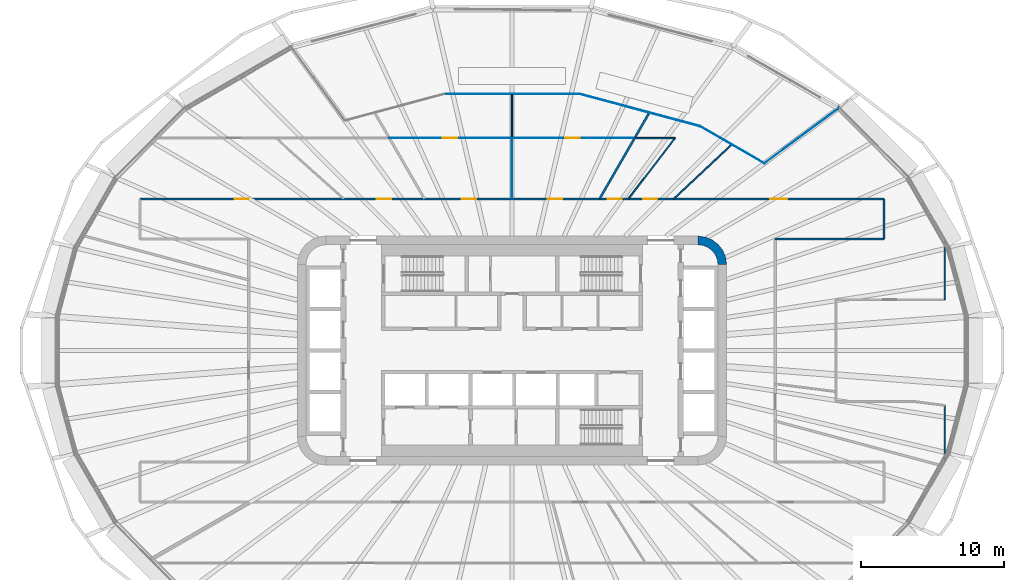
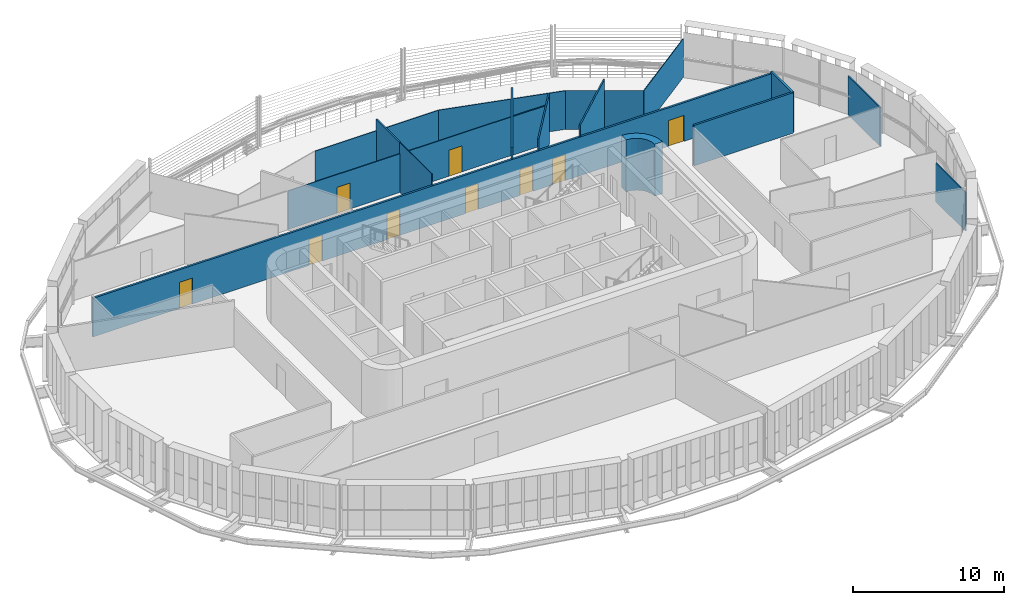
# One storey, part 16 of 24: 17 walls, 9 doors, 9 openings.
"""IFC4 building model written with IfcOpenShell, lengths in metres."""

from ifc_helpers import new_model, si_unit, direction, frame, frame_2d, origin, place, context, subcontext, project, spatial, polyline, rectangle, outline, extrude, material, layer, layer_set, type_object, element, fill, save


model = new_model("IFC4")

# Units and contexts
model_context = context("Model", 3, precision=1e-05, world=origin(), true_north=direction((0.0, 1.0)))
body_context = subcontext(model_context, "Body", "Model", "MODEL_VIEW")
ifc_project = project(units=[si_unit("LENGTHUNIT", "METRE"), si_unit("AREAUNIT", "SQUARE_METRE"), si_unit("VOLUMEUNIT", "CUBIC_METRE"), si_unit("PLANEANGLEUNIT", "RADIAN"), si_unit("MASSUNIT", "GRAM", prefix="KILO")], contexts=[model_context])

# Site, building, storey
site_placement = place(None, origin())
site = spatial("IfcSite", under=ifc_project, at=site_placement, CompositionType="ELEMENT")
building_placement = place(site_placement, origin())
building = spatial("IfcBuilding", under=site, at=building_placement, Name="Sahrelin Media Tower", CompositionType="ELEMENT")
storey_placement = place(building_placement, frame((0.0, 0.0, 118.800048828125)))
storey = spatial("IfcBuildingStorey", under=building, at=storey_placement, Name="L23", CompositionType="ELEMENT", Elevation=118.800048828125)

# Walls
ifc_material_1 = material(Name="Concrete C60/75", Category="concrete")
ifc_layer_1 = layer(ifc_material_1, 0.60009765625)
ifc_layer_set_1 = layer_set([ifc_layer_1], Name="Core wall 600")
wall_type_1 = type_object("IfcWallType", Name="Core wall 600", PredefinedType="SHEAR", material=ifc_layer_set_1)
wall_1_placement = place(storey_placement, origin())
element("IfcWall", 1, at=wall_1_placement, inside=storey, type_object=wall_type_1, Name="Core wall corner NE L23", PredefinedType="SHEAR", context=body_context, shape_type="SweptSolid", body=[
    extrude(outline(polyline([(13.0, 8.0), (13.0, 7.394775390625), (13.361083984375, 7.347412109375), (13.697509765625, 7.2080078125), (13.986328125, 6.986328125), (14.2080078125, 6.697509765625), (14.347412109375, 6.361083984375), (14.394775390625, 6.0), (15.0, 6.0), (14.931884765625, 6.517578125), (14.732177734375, 7.0), (14.414306640625, 7.414306640625), (14.0, 7.732177734375), (13.517578125, 7.931884765625), (13.0, 8.0)])), origin(), (0.0, 0.0, 1.0), 4.199951171875),
])
ifc_material_2 = material(Name="Fire-rated gypsum board partition")
ifc_layer_2 = layer(ifc_material_2, 0.14990234375)
ifc_layer_set_2 = layer_set([ifc_layer_2], Name="Fire-rated partition 150")
wall_type_2 = type_object("IfcWallType", Name="Fire-rated partition 150", PredefinedType="PARTITIONING", material=ifc_layer_set_2)
wall_2_placement = place(storey_placement, frame((18.39990234375, 7.800048828125, 0.0), z_axis=(0.0, 0.0, 1.0), x_axis=(1.0, 0.0, 0.0)))
element("IfcWall", 2, at=wall_2_placement, inside=storey, type_object=wall_type_2, Name="Wall", PredefinedType="PARTITIONING", context=body_context, shape_type="SweptSolid", body=[
    extrude(rectangle(XDim=7.60009765625, YDim=0.14990234375, at=frame_2d((3.800048828125, 0.0))), origin(), (0.0, 0.0, 1.0), 3.27587890625),
])

# Wall, openings, doors
wall_3_placement = place(storey_placement, frame((-26.0, 10.60009765625, 0.0), z_axis=(0.0, 0.0, 1.0), x_axis=(1.0, 0.0, 0.0)))
wall_3 = element("IfcWall", 3, at=wall_3_placement, inside=storey, type_object=wall_type_2, Name="Wall", PredefinedType="PARTITIONING", context=body_context, shape_type="SweptSolid", body=[
    extrude(rectangle(XDim=52.0, YDim=0.14990234375, at=frame_2d((26.0, 0.0))), origin(), (0.0, 0.0, 1.0), 3.126953125),
])
opening_1_placement = place(wall_3_placement, frame((44.051513671875, 0.0, 0.0)))
opening_1 = element("IfcOpeningElement", 4, at=opening_1_placement, cuts=wall_3, Name="Opening L23-D30", PredefinedType="OPENING", context=body_context, shape_type="SweptSolid", body=[
    extrude(rectangle(XDim=1.199951171875, YDim=2.10009765625, at=frame_2d((0.60009765625, 1.050048828125))), frame((0.0, 0.074951171875, 0.0), z_axis=(0.0, -1.0, 0.0), x_axis=(1.0, 0.0, 0.0)), (0.0, 0.0, 1.0), 0.14990234375),
])
opening_2_placement = place(wall_3_placement, frame((35.166259765625, 0.0, 0.0)))
opening_2 = element("IfcOpeningElement", 5, at=opening_2_placement, cuts=wall_3, Name="Opening L23-D31", PredefinedType="OPENING", context=body_context, shape_type="SweptSolid", body=[
    extrude(rectangle(XDim=1.0, YDim=2.10009765625, at=frame_2d((0.5, 1.050048828125))), frame((0.0, 0.074951171875, 0.0), z_axis=(0.0, -1.0, 0.0), x_axis=(1.0, 0.0, 0.0)), (0.0, 0.0, 1.0), 0.14990234375),
])
opening_3_placement = place(wall_3_placement, frame((32.68017578125, 0.0, 0.0)))
opening_3 = element("IfcOpeningElement", 6, at=opening_3_placement, cuts=wall_3, Name="Opening L23-D32", PredefinedType="OPENING", context=body_context, shape_type="SweptSolid", body=[
    extrude(rectangle(XDim=1.0, YDim=2.10009765625, at=frame_2d((0.5, 1.050048828125))), frame((0.0, 0.074951171875, 0.0), z_axis=(0.0, -1.0, 0.0), x_axis=(1.0, 0.0, 0.0)), (0.0, 0.0, 1.0), 0.14990234375),
])
opening_4_placement = place(wall_3_placement, frame((28.509765625, 0.0, 0.0)))
opening_4 = element("IfcOpeningElement", 7, at=opening_4_placement, cuts=wall_3, Name="Opening L23-D34", PredefinedType="OPENING", context=body_context, shape_type="SweptSolid", body=[
    extrude(rectangle(XDim=1.0, YDim=2.10009765625, at=frame_2d((0.5, 1.050048828125))), frame((0.0, 0.074951171875, 0.0), z_axis=(0.0, -1.0, 0.0), x_axis=(1.0, 0.0, 0.0)), (0.0, 0.0, 1.0), 0.14990234375),
])
opening_5_placement = place(wall_3_placement, frame((22.490234375, 0.0, 0.0)))
opening_5 = element("IfcOpeningElement", 8, at=opening_5_placement, cuts=wall_3, Name="Opening L23-D35", PredefinedType="OPENING", context=body_context, shape_type="SweptSolid", body=[
    extrude(rectangle(XDim=1.0, YDim=2.10009765625, at=frame_2d((0.5, 1.050048828125))), frame((0.0, 0.074951171875, 0.0), z_axis=(0.0, -1.0, 0.0), x_axis=(1.0, 0.0, 0.0)), (0.0, 0.0, 1.0), 0.14990234375),
])
opening_6_placement = place(wall_3_placement, frame((16.553955078125, 0.0, 0.0)))
opening_6 = element("IfcOpeningElement", 9, at=opening_6_placement, cuts=wall_3, Name="Opening L23-D38", PredefinedType="OPENING", context=body_context, shape_type="SweptSolid", body=[
    extrude(rectangle(XDim=1.0, YDim=2.10009765625, at=frame_2d((0.5, 1.050048828125))), frame((0.0, 0.074951171875, 0.0), z_axis=(0.0, -1.0, 0.0), x_axis=(1.0, 0.0, 0.0)), (0.0, 0.0, 1.0), 0.14990234375),
])
opening_7_placement = place(wall_3_placement, frame((6.614013671875, 0.0, 0.0)))
opening_7 = element("IfcOpeningElement", 10, at=opening_7_placement, cuts=wall_3, Name="Opening L23-D39", PredefinedType="OPENING", context=body_context, shape_type="SweptSolid", body=[
    extrude(rectangle(XDim=1.0, YDim=2.10009765625, at=frame_2d((0.5, 1.050048828125))), frame((0.0, 0.074951171875, 0.0), z_axis=(0.0, -1.0, 0.0), x_axis=(1.0, 0.0, 0.0)), (0.0, 0.0, 1.0), 0.14990234375),
])
ifc_material_3 = material(Name="Steel fire door leaf", Category="steel")
door_type_1 = type_object("IfcDoorType", Name="Fire door 1000 x 2100 EI 60", OperationType="NOTDEFINED", PredefinedType="DOOR", material=ifc_material_3)
door_1_placement = place(opening_2_placement, origin())
door_1 = element("IfcDoor", 11, at=door_1_placement, inside=storey, type_object=door_type_1, Name="Fire door", OperationType="SINGLE_SWING_RIGHT", OverallHeight=2.10009765625, OverallWidth=1.0, PredefinedType="DOOR", context=body_context, shape_type="SweptSolid", body=[
    extrude(rectangle(XDim=1.0, YDim=2.10009765625, at=frame_2d((0.5, 1.050048828125))), frame((0.0, 0.02490234375, 0.0), z_axis=(0.0, -1.0, 0.0), x_axis=(1.0, 0.0, 0.0)), (0.0, 0.0, 1.0), 0.050048828125),
])
fill(opening_2, door_1)
door_2_placement = place(opening_3_placement, origin())
door_2 = element("IfcDoor", 12, at=door_2_placement, inside=storey, type_object=door_type_1, Name="Fire door", OperationType="SINGLE_SWING_LEFT", OverallHeight=2.10009765625, OverallWidth=1.0, PredefinedType="DOOR", context=body_context, shape_type="SweptSolid", body=[
    extrude(rectangle(XDim=1.0, YDim=2.10009765625, at=frame_2d((0.5, 1.050048828125))), frame((0.0, 0.02490234375, 0.0), z_axis=(0.0, -1.0, 0.0), x_axis=(1.0, 0.0, 0.0)), (0.0, 0.0, 1.0), 0.050048828125),
])
fill(opening_3, door_2)
door_3_placement = place(opening_4_placement, origin())
door_3 = element("IfcDoor", 13, at=door_3_placement, inside=storey, type_object=door_type_1, Name="Fire door", OperationType="SINGLE_SWING_LEFT", OverallHeight=2.10009765625, OverallWidth=1.0, PredefinedType="DOOR", context=body_context, shape_type="SweptSolid", body=[
    extrude(rectangle(XDim=1.0, YDim=2.10009765625, at=frame_2d((0.5, 1.050048828125))), frame((0.0, 0.02490234375, 0.0), z_axis=(0.0, -1.0, 0.0), x_axis=(1.0, 0.0, 0.0)), (0.0, 0.0, 1.0), 0.050048828125),
])
fill(opening_4, door_3)
door_4_placement = place(opening_5_placement, origin())
door_4 = element("IfcDoor", 14, at=door_4_placement, inside=storey, type_object=door_type_1, Name="Fire door", OperationType="SINGLE_SWING_RIGHT", OverallHeight=2.10009765625, OverallWidth=1.0, PredefinedType="DOOR", context=body_context, shape_type="SweptSolid", body=[
    extrude(rectangle(XDim=1.0, YDim=2.10009765625, at=frame_2d((0.5, 1.050048828125))), frame((0.0, 0.02490234375, 0.0), z_axis=(0.0, -1.0, 0.0), x_axis=(1.0, 0.0, 0.0)), (0.0, 0.0, 1.0), 0.050048828125),
])
fill(opening_5, door_4)
door_5_placement = place(opening_6_placement, origin())
door_5 = element("IfcDoor", 15, at=door_5_placement, inside=storey, type_object=door_type_1, Name="Fire door", OperationType="SINGLE_SWING_RIGHT", OverallHeight=2.10009765625, OverallWidth=1.0, PredefinedType="DOOR", context=body_context, shape_type="SweptSolid", body=[
    extrude(rectangle(XDim=1.0, YDim=2.10009765625, at=frame_2d((0.5, 1.050048828125))), frame((0.0, 0.02490234375, 0.0), z_axis=(0.0, -1.0, 0.0), x_axis=(1.0, 0.0, 0.0)), (0.0, 0.0, 1.0), 0.050048828125),
])
fill(opening_6, door_5)
door_6_placement = place(opening_7_placement, origin())
door_6 = element("IfcDoor", 16, at=door_6_placement, inside=storey, type_object=door_type_1, Name="Fire door", OperationType="SINGLE_SWING_RIGHT", OverallHeight=2.10009765625, OverallWidth=1.0, PredefinedType="DOOR", context=body_context, shape_type="SweptSolid", body=[
    extrude(rectangle(XDim=1.0, YDim=2.10009765625, at=frame_2d((0.5, 1.050048828125))), frame((0.0, 0.02490234375, 0.0), z_axis=(0.0, -1.0, 0.0), x_axis=(1.0, 0.0, 0.0)), (0.0, 0.0, 1.0), 0.050048828125),
])
fill(opening_7, door_6)
door_type_2 = type_object("IfcDoorType", Name="Service double door 1200 x 2100 EI 60", OperationType="DOUBLE_DOOR_SINGLE_SWING", PredefinedType="DOOR", material=ifc_material_3)
door_7_placement = place(opening_1_placement, origin())
door_7 = element("IfcDoor", 17, at=door_7_placement, inside=storey, type_object=door_type_2, Name="Service double door", OperationType="DOUBLE_DOOR_SINGLE_SWING", OverallHeight=2.10009765625, OverallWidth=1.199951171875, PredefinedType="DOOR", context=body_context, shape_type="SweptSolid", body=[
    extrude(rectangle(XDim=1.199951171875, YDim=2.10009765625, at=frame_2d((0.60009765625, 1.050048828125))), frame((0.0, 0.02490234375, 0.0), z_axis=(0.0, -1.0, 0.0), x_axis=(1.0, 0.0, 0.0)), (0.0, 0.0, 1.0), 0.050048828125),
])
fill(opening_1, door_7)

# Walls
wall_4_placement = place(storey_placement, frame((6.1201171875, 10.60009765625, 0.0), z_axis=(0.0, 0.0, 1.0), x_axis=(0.499992825081, 0.866029546186, 0.0)))
element("IfcWall", 18, at=wall_4_placement, inside=storey, type_object=wall_type_2, Name="Wall", PredefinedType="PARTITIONING", context=body_context, shape_type="SweptSolid", body=[
    extrude(rectangle(XDim=6.95654296875, YDim=0.14990234375, at=frame_2d((3.478271484375, 0.0))), origin(), (0.0, 0.0, 1.0), 4.050048828125),
])
wall_5_placement = place(storey_placement, frame((26.0, 7.800048828125, 0.0), z_axis=(0.0, 0.0, 1.0), x_axis=(0.0, 1.0, 0.0)))
element("IfcWall", 19, at=wall_5_placement, inside=storey, type_object=wall_type_2, Name="Wall", PredefinedType="PARTITIONING", context=body_context, shape_type="SweptSolid", body=[
    extrude(rectangle(XDim=2.800048828125, YDim=0.14990234375, at=frame_2d((1.39990234375, 0.0))), origin(), (0.0, 0.0, 1.0), 3.27587890625),
])
ifc_material_4 = material(Name="Clear glass", Category="glass")
ifc_layer_3 = layer(ifc_material_4, 0.050048828125)
ifc_layer_set_3 = layer_set([ifc_layer_3], Name="Glazed partition 50")
wall_type_3 = type_object("IfcWallType", Name="Glazed partition 50", PredefinedType="PARTITIONING", material=ifc_layer_set_3)
wall_6_placement = place(storey_placement, frame((13.137939453125, 15.676025390625, 0.0), z_axis=(0.0, 0.0, 1.0), x_axis=(0.866061884255, -0.499936808647, 0.0)))
element("IfcWall", 20, at=wall_6_placement, inside=storey, type_object=wall_type_3, Name="Wall", PredefinedType="PARTITIONING", context=body_context, shape_type="SweptSolid", body=[
    extrude(rectangle(XDim=5.192626953125, YDim=0.050048828125, at=frame_2d((2.59619140625, 0.0))), origin(), (0.0, 0.0, 1.0), 3.126953125),
])
wall_7_placement = place(storey_placement, frame((4.72998046875, 17.928955078125, 0.0), z_axis=(0.0, 0.0, 1.0), x_axis=(0.96591812857, -0.258847771671, 0.0)))
element("IfcWall", 21, at=wall_7_placement, inside=storey, type_object=wall_type_3, Name="Wall", PredefinedType="PARTITIONING", context=body_context, shape_type="SweptSolid", body=[
    extrude(rectangle(XDim=8.70458984375, YDim=0.050048828125, at=frame_2d((4.352294921875, 0.0))), origin(), (0.0, 0.0, 1.0), 3.126953125),
])

# Wall, openings, doors
wall_8_placement = place(storey_placement, frame((-8.572998046875, 14.85009765625, 0.0), z_axis=(0.0, 0.0, 1.0), x_axis=(1.0, 0.0, 0.0)))
wall_8 = element("IfcWall", 22, at=wall_8_placement, inside=storey, type_object=wall_type_3, Name="Wall", PredefinedType="PARTITIONING", context=body_context, shape_type="SweptSolid", body=[
    extrude(rectangle(XDim=17.14599609375, YDim=0.050048828125, at=frame_2d((8.572998046875, 0.0))), origin(), (0.0, 0.0, 1.0), 3.126953125),
])
opening_8_placement = place(wall_8_placement, frame((12.308837890625, 0.0, 0.0)))
opening_8 = element("IfcOpeningElement", 23, at=opening_8_placement, cuts=wall_8, Name="Opening L23-D36", PredefinedType="OPENING", context=body_context, shape_type="SweptSolid", body=[
    extrude(rectangle(XDim=1.0, YDim=2.10009765625, at=frame_2d((0.5, 1.050048828125))), frame((0.0, 0.02490234375, 0.0), z_axis=(0.0, -1.0, 0.0), x_axis=(1.0, 0.0, 0.0)), (0.0, 0.0, 1.0), 0.050048828125),
])
opening_9_placement = place(wall_8_placement, frame((3.73583984375, 0.0, 0.0)))
opening_9 = element("IfcOpeningElement", 24, at=opening_9_placement, cuts=wall_8, Name="Opening L23-D37", PredefinedType="OPENING", context=body_context, shape_type="SweptSolid", body=[
    extrude(rectangle(XDim=1.0, YDim=2.10009765625, at=frame_2d((0.5, 1.050048828125))), frame((0.0, 0.02490234375, 0.0), z_axis=(0.0, -1.0, 0.0), x_axis=(1.0, 0.0, 0.0)), (0.0, 0.0, 1.0), 0.050048828125),
])
door_type_3 = type_object("IfcDoorType", Name="Glazed door 1000 x 2100", OperationType="NOTDEFINED", PredefinedType="DOOR", material=ifc_material_4)
door_8_placement = place(opening_8_placement, origin())
door_8 = element("IfcDoor", 25, at=door_8_placement, inside=storey, type_object=door_type_3, Name="Glazed door", OperationType="SINGLE_SWING_RIGHT", OverallHeight=2.10009765625, OverallWidth=1.0, PredefinedType="DOOR", context=body_context, shape_type="SweptSolid", body=[
    extrude(rectangle(XDim=1.0, YDim=2.10009765625, at=frame_2d((0.5, 1.050048828125))), frame((0.0, 0.02490234375, 0.0), z_axis=(0.0, -1.0, 0.0), x_axis=(1.0, 0.0, 0.0)), (0.0, 0.0, 1.0), 0.049560546875),
])
fill(opening_8, door_8)
door_9_placement = place(opening_9_placement, origin())
door_9 = element("IfcDoor", 26, at=door_9_placement, inside=storey, type_object=door_type_3, Name="Glazed door", OperationType="SINGLE_SWING_RIGHT", OverallHeight=2.10009765625, OverallWidth=1.0, PredefinedType="DOOR", context=body_context, shape_type="SweptSolid", body=[
    extrude(rectangle(XDim=1.0, YDim=2.10009765625, at=frame_2d((0.5, 1.050048828125))), frame((0.0, 0.02490234375, 0.0), z_axis=(0.0, -1.0, 0.0), x_axis=(1.0, 0.0, 0.0)), (0.0, 0.0, 1.0), 0.049560546875),
])
fill(opening_9, door_9)

# Walls
wall_9_placement = place(storey_placement, frame((-4.72998046875, 17.928955078125, 0.0), z_axis=(0.0, 0.0, 1.0), x_axis=(1.0, 0.0, 0.0)))
element("IfcWall", 27, at=wall_9_placement, inside=storey, type_object=wall_type_3, Name="Wall", PredefinedType="PARTITIONING", context=body_context, shape_type="SweptSolid", body=[
    extrude(rectangle(XDim=9.4599609375, YDim=0.050048828125, at=frame_2d((4.72998046875, 0.0))), origin(), (0.0, 0.0, 1.0), 3.126953125),
])
wall_10_placement = place(storey_placement, frame((17.635009765625, 13.080078125, 0.0), z_axis=(0.0, 0.0, 1.0), x_axis=(0.803142977869, 0.595786335107, 0.0)))
element("IfcWall", 28, at=wall_10_placement, inside=storey, type_object=wall_type_3, Name="Wall", PredefinedType="PARTITIONING", context=body_context, shape_type="SweptSolid", body=[
    extrude(rectangle(XDim=6.539306640625, YDim=0.050048828125, at=frame_2d((3.26953125, 0.0))), origin(), (0.0, 0.0, 1.0), 3.126953125),
])
wall_11_placement = place(storey_placement, frame((0.0, 10.60009765625, 0.0), z_axis=(0.0, 0.0, 1.0), x_axis=(0.0, 1.0, 0.0)))
element("IfcWall", 29, at=wall_11_placement, inside=storey, type_object=wall_type_3, Name="Wall", PredefinedType="PARTITIONING", context=body_context, shape_type="SweptSolid", body=[
    extrude(rectangle(XDim=4.25, YDim=0.050048828125, at=frame_2d((2.125, 0.0))), origin(), (0.0, 0.0, 1.0), 4.050048828125),
])
ifc_material_5 = material(Name="Gypsum board partition")
ifc_layer_4 = layer(ifc_material_5, 0.10009765625)
ifc_layer_set_4 = layer_set([ifc_layer_4], Name="Partition 100")
wall_type_4 = type_object("IfcWallType", Name="Partition 100", PredefinedType="PARTITIONING", material=ifc_layer_set_4)
wall_12_placement = place(storey_placement, frame((8.572998046875, 14.85009765625, 0.0), z_axis=(0.0, 0.0, 1.0), x_axis=(1.0, 0.0, 0.0)))
element("IfcWall", 30, at=wall_12_placement, inside=storey, type_object=wall_type_4, Name="Wall", PredefinedType="PARTITIONING", context=body_context, shape_type="SweptSolid", body=[
    extrude(rectangle(XDim=2.825927734375, YDim=0.10009765625, at=frame_2d((1.4130859375, 0.0))), origin(), (0.0, 0.0, 1.0), 3.126953125),
])
wall_13_placement = place(storey_placement, frame((11.302978515625, 10.60009765625, 0.0), z_axis=(0.0, 0.0, 1.0), x_axis=(0.72937123746, 0.684118116969, 0.0)))
element("IfcWall", 31, at=wall_13_placement, inside=storey, type_object=wall_type_4, Name="Wall", PredefinedType="PARTITIONING", context=body_context, shape_type="SweptSolid", body=[
    extrude(rectangle(XDim=5.551513671875, YDim=0.10009765625, at=frame_2d((2.77587890625, 0.0))), origin(), (0.0, 0.0, 1.0), 4.050048828125),
])
wall_14_placement = place(storey_placement, frame((8.136962890625, 10.60009765625, 0.0), z_axis=(0.0, 0.0, 1.0), x_axis=(0.608858134489, 0.793279126201, 0.0)))
element("IfcWall", 32, at=wall_14_placement, inside=storey, type_object=wall_type_4, Name="Wall", PredefinedType="PARTITIONING", context=body_context, shape_type="SweptSolid", body=[
    extrude(rectangle(XDim=5.357421875, YDim=0.10009765625, at=frame_2d((2.6787109375, 0.0))), origin(), (0.0, 0.0, 1.0), 4.050048828125),
])
wall_15_placement = place(storey_placement, frame((30.25, -7.7880859375, 0.0), z_axis=(0.0, 0.0, 1.0), x_axis=(0.0, 1.0, 0.0)))
element("IfcWall", 33, at=wall_15_placement, inside=storey, type_object=wall_type_4, Name="Wall", PredefinedType="PARTITIONING", context=body_context, shape_type="SweptSolid", body=[
    extrude(rectangle(XDim=3.951171875, YDim=0.10009765625, at=frame_2d((1.9755859375, 0.0))), origin(), (0.0, 0.0, 1.0), 3.126953125),
])
wall_16_placement = place(storey_placement, frame((30.25, 3.550048828125, 0.0), z_axis=(0.0, 0.0, 1.0), x_axis=(0.0, 1.0, 0.0)))
element("IfcWall", 34, at=wall_16_placement, inside=storey, type_object=wall_type_4, Name="Wall", PredefinedType="PARTITIONING", context=body_context, shape_type="SweptSolid", body=[
    extrude(rectangle(XDim=4.238037109375, YDim=0.10009765625, at=frame_2d((2.119140625, 0.0))), origin(), (0.0, 0.0, 1.0), 3.126953125),
])
wall_17_placement = place(storey_placement, frame((0.0, 14.85009765625, 0.0), z_axis=(0.0, 0.0, 1.0), x_axis=(0.0, 1.0, 0.0)))
element("IfcWall", 35, at=wall_17_placement, inside=storey, type_object=wall_type_4, Name="Wall", PredefinedType="PARTITIONING", context=body_context, shape_type="SweptSolid", body=[
    extrude(rectangle(XDim=3.078857421875, YDim=0.10009765625, at=frame_2d((1.53955078125, 0.0))), origin(), (0.0, 0.0, 1.0), 4.050048828125),
])

save(model, "model.ifc")
